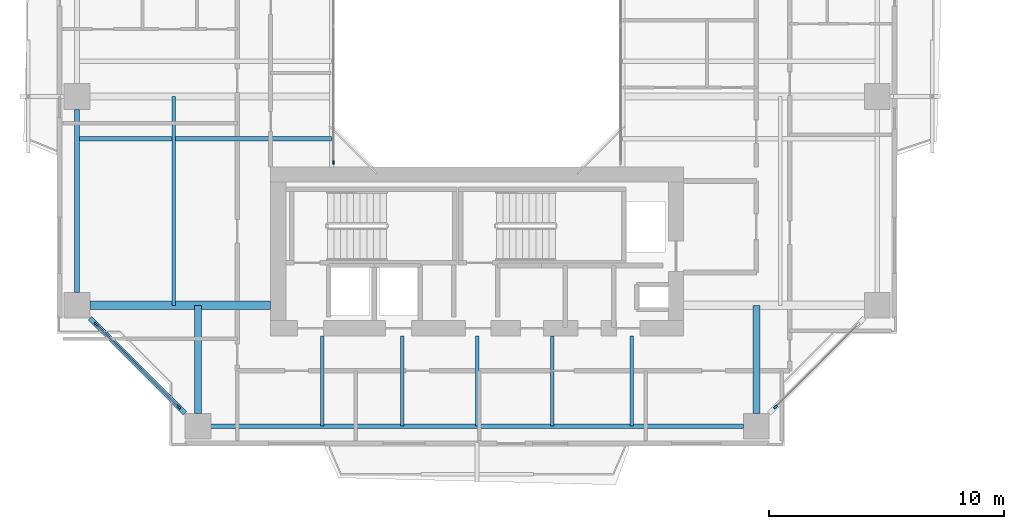
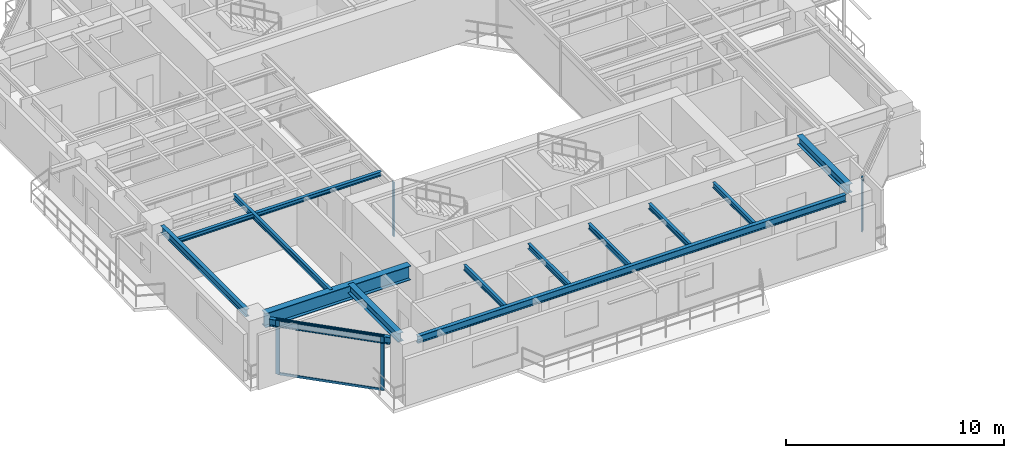
# One storey, part 2 of 24: 13 beams, 6 members, 3 elements without a shape of their own.
"""IFC4 building model written with IfcOpenShell, lengths in metres."""

from ifc_helpers import new_model, si_unit, direction, frame, origin, origin_2d, place, context, subcontext, project, spatial, rectangle, i_section, extrude, source, transform, mapped, material, layer, layer_set, material_profile, profile_set, type_object, element, aggregate, save


model = new_model("IFC4")

# Units and contexts
model_context = context("Model", 3, precision=1e-05, world=origin(), true_north=direction((0.0, 1.0)))
body_context = subcontext(model_context, "Body", "Model", "MODEL_VIEW")
ifc_project = project(units=[si_unit("LENGTHUNIT", "METRE"), si_unit("AREAUNIT", "SQUARE_METRE"), si_unit("VOLUMEUNIT", "CUBIC_METRE"), si_unit("PLANEANGLEUNIT", "RADIAN"), si_unit("MASSUNIT", "GRAM", prefix="KILO"), si_unit("THERMODYNAMICTEMPERATUREUNIT", "KELVIN"), si_unit("POWERUNIT", "WATT")], contexts=[model_context])

# Site, building, storey
site_placement = place(None, origin())
site = spatial("IfcSite", under=ifc_project, at=site_placement, CompositionType="ELEMENT")
building_placement = place(site_placement, origin())
building = spatial("IfcBuilding", under=site, at=building_placement, Name="Qiaomeng Ring Towers", CompositionType="ELEMENT")
storey_placement = place(building_placement, frame((0.0, 0.0, 110.0)))
storey = spatial("IfcBuildingStorey", under=building, at=storey_placement, Name="L31", CompositionType="ELEMENT", Elevation=110.0)

# Beams
ifc_material_1 = material(Name="Steel Q355B", Category="steel")
ifc_material_profile_1 = material_profile(ifc_material_1, i_section(OverallWidth=0.199951171875, OverallDepth=0.39990234375, WebThickness=0.008056640625, FlangeThickness=0.012939453125, FilletRadius=0.01611328125, at=origin_2d()), Name="HN 400x200x8x13")
ifc_profile_set_1 = profile_set([ifc_material_profile_1], Name="Steel Q355B")
beam_type_1 = type_object("IfcBeamType", Name="STR-BM-HN400", PredefinedType="SPANDREL", material=ifc_profile_set_1)
shared_shape_1 = source(origin(), body_context, "Body", "SweptSolid", [
    extrude(i_section(OverallWidth=0.199951171875, OverallDepth=0.39990234375, WebThickness=0.008056640625, FlangeThickness=0.012939453125, FilletRadius=0.01611328125, at=origin_2d()), origin(), (0.0, 0.0, 1.0), 22.7021484375),
])
beam_1_placement = place(storey_placement, frame((7.64892578125, 5.949951171875, 2.8701171875), z_axis=(1.0, 0.0, 0.0), x_axis=(0.0, 1.0, 0.0)))
element("IfcBeam", 1, at=beam_1_placement, inside=storey, type_object=beam_type_1, Name="L31 beam STR-SP-L31-T1-S1-S2", PredefinedType="SPANDREL", context=body_context, shape_type="MappedRepresentation", body=[
    mapped(shared_shape_1, transform((0.0, 0.0, 0.0), x_axis=(1.0, 0.0, 0.0), y_axis=(0.0, 1.0, 0.0), z_axis=(0.0, 0.0, 1.0), scale=1.0)),
])
shared_shape_2 = source(origin(), body_context, "Body", "SweptSolid", [
    extrude(i_section(OverallWidth=0.199951171875, OverallDepth=0.39990234375, WebThickness=0.008056640625, FlangeThickness=0.012939453125, FilletRadius=0.01611328125, at=origin_2d()), origin(), (0.0, 0.0, 1.0), 5.729736328125),
])
beam_2_placement = place(storey_placement, frame((2.499267578125, 10.55078125, 2.8701171875), z_axis=(0.707106781187, -0.707106781187, 0.0), x_axis=(0.707106781187, 0.707106781187, 0.0)))
element("IfcBeam", 2, at=beam_2_placement, inside=storey, type_object=beam_type_1, Name="L31 beam STR-SP-L31-T1-W1-S1", PredefinedType="SPANDREL", context=body_context, shape_type="MappedRepresentation", body=[
    mapped(shared_shape_2, transform((0.0, 0.0, 0.0), x_axis=(1.0, 0.0, 0.0), y_axis=(0.0, 1.0, 0.0), z_axis=(0.0, 0.0, 1.0), scale=1.0)),
])
shared_shape_3 = source(origin(), body_context, "Body", "SweptSolid", [
    extrude(i_section(OverallWidth=0.199951171875, OverallDepth=0.39990234375, WebThickness=0.008056640625, FlangeThickness=0.012939453125, FilletRadius=0.01611328125, at=origin_2d()), origin(), (0.0, 0.0, 1.0), 7.802001953125),
])
beam_3_placement = place(storey_placement, frame((1.949951171875, 19.450927734375, 2.8701171875), z_axis=(0.0, -1.0, 0.0), x_axis=(1.0, 0.0, 0.0)))
element("IfcBeam", 3, at=beam_3_placement, inside=storey, type_object=beam_type_1, Name="L31 beam STR-SP-L31-T1-W2-W1", PredefinedType="SPANDREL", context=body_context, shape_type="MappedRepresentation", body=[
    mapped(shared_shape_3, transform((0.0, 0.0, 0.0), x_axis=(1.0, 0.0, 0.0), y_axis=(0.0, 1.0, 0.0), z_axis=(0.0, 0.0, 1.0), scale=1.0)),
])
ifc_material_2 = material(Name="Steel Q390GJC", Category="steel")
ifc_material_profile_2 = material_profile(ifc_material_2, i_section(OverallWidth=0.35009765625, OverallDepth=0.800048828125, WebThickness=0.01611328125, FlangeThickness=0.028076171875, at=origin_2d()), Name="WH 800x350x16x28")
ifc_profile_set_2 = profile_set([ifc_material_profile_2], Name="Steel Q390GJC")
beam_type_2 = type_object("IfcBeamType", Name="STR-BM-WH800", PredefinedType="BEAM", material=ifc_profile_set_2)
shared_shape_4 = source(origin(), body_context, "Body", "SweptSolid", [
    extrude(i_section(OverallWidth=0.35009765625, OverallDepth=0.800048828125, WebThickness=0.01611328125, FlangeThickness=0.028076171875, at=origin_2d()), origin(), (0.0, 0.0, 1.0), 7.700927734375),
])
beam_4_placement = place(storey_placement, frame((2.4990234375, 11.10009765625, 2.669921875), z_axis=(1.0, 0.0, 0.0), x_axis=(0.0, 1.0, 0.0)))
element("IfcBeam", 4, at=beam_4_placement, inside=storey, type_object=beam_type_2, Name="L31 beam STR-BM-L31-T1-RAD-W1", PredefinedType="BEAM", context=body_context, shape_type="MappedRepresentation", body=[
    mapped(shared_shape_4, transform((0.0, 0.0, 0.0), x_axis=(1.0, 0.0, 0.0), y_axis=(0.0, 1.0, 0.0), z_axis=(0.0, 0.0, 1.0), scale=1.0)),
])
ifc_material_profile_3 = material_profile(ifc_material_1, i_section(OverallWidth=0.300048828125, OverallDepth=0.488037109375, WebThickness=0.010986328125, FlangeThickness=0.01806640625, FilletRadius=0.02587890625, at=origin_2d()), Name="HM 488x300x11x18")
ifc_profile_set_3 = profile_set([ifc_material_profile_3], Name="Steel Q355B")
beam_type_3 = type_object("IfcBeamType", Name="STR-BM-HM488", PredefinedType="BEAM", material=ifc_profile_set_3)
shared_shape_5 = source(origin(), body_context, "Body", "SweptSolid", [
    extrude(i_section(OverallWidth=0.300048828125, OverallDepth=0.488037109375, WebThickness=0.010986328125, FlangeThickness=0.01806640625, FilletRadius=0.02587890625, at=origin_2d()), origin(), (0.0, 0.0, 1.0), 4.60107421875),
])
for number, where, z_axis, x_axis, name in (
    (5, (7.10009765625, 6.4990234375, 2.825927734375), (0.0, 1.0, 0.0), (-1.0, 0.0, 0.0), "L31 beam STR-BM-L31-T1-RAD-S1"),
    (6, (30.89990234375, 6.4990234375, 2.825927734375), (0.0, 1.0, 0.0), (-1.0, 0.0, 0.0), "L31 beam STR-BM-L31-T1-RAD-S2"),
):
    element("IfcBeam", number, at=place(storey_placement, frame(where, z_axis=z_axis, x_axis=x_axis)), inside=storey, type_object=beam_type_3, Name=name, PredefinedType="BEAM", context=body_context, shape_type="MappedRepresentation", body=[
        mapped(shared_shape_5, transform((0.0, 0.0, 0.0), x_axis=(1.0, 0.0, 0.0), y_axis=(0.0, 1.0, 0.0), z_axis=(0.0, 0.0, 1.0), scale=1.0)),
    ])
ifc_material_profile_4 = material_profile(ifc_material_1, i_section(OverallWidth=0.14990234375, OverallDepth=0.300048828125, WebThickness=0.006591796875, FlangeThickness=0.009033203125, FilletRadius=0.012939453125, at=origin_2d()), Name="HN 300x150x6.5x9")
ifc_profile_set_4 = profile_set([ifc_material_profile_4], Name="Steel Q355B")
beam_type_4 = type_object("IfcBeamType", Name="STR-BM-HN300", PredefinedType="JOIST", material=ifc_profile_set_4)
shared_shape_6 = source(origin(), body_context, "Body", "SweptSolid", [
    extrude(i_section(OverallWidth=0.14990234375, OverallDepth=0.300048828125, WebThickness=0.006591796875, FlangeThickness=0.009033203125, FilletRadius=0.012939453125, at=origin_2d()), origin(), (0.0, 0.0, 1.0), 3.85009765625),
])
for number, where, z_axis, x_axis, name in (
    (7, (12.39990234375, 5.949951171875, 2.919921875), (0.0, 1.0, 0.0), (-1.0, 0.0, 0.0), "L31 beam STR-JST-L31-T1S-1"),
    (8, (15.800048828125, 5.949951171875, 2.919921875), (0.0, 1.0, 0.0), (-1.0, 0.0, 0.0), "L31 beam STR-JST-L31-T1S-2"),
    (9, (19.0, 5.949951171875, 2.919921875), (0.0, 1.0, 0.0), (-1.0, 0.0, 0.0), "L31 beam STR-JST-L31-T1S-3"),
    (10, (22.199951171875, 5.949951171875, 2.919921875), (0.0, 1.0, 0.0), (-1.0, 0.0, 0.0), "L31 beam STR-JST-L31-T1S-4"),
    (11, (25.60009765625, 5.949951171875, 2.919921875), (0.0, 1.0, 0.0), (-1.0, 0.0, 0.0), "L31 beam STR-JST-L31-T1S-5"),
):
    element("IfcBeam", number, at=place(storey_placement, frame(where, z_axis=z_axis, x_axis=x_axis)), inside=storey, type_object=beam_type_4, Name=name, PredefinedType="JOIST", context=body_context, shape_type="MappedRepresentation", body=[
        mapped(shared_shape_6, transform((0.0, 0.0, 0.0), x_axis=(1.0, 0.0, 0.0), y_axis=(0.0, 1.0, 0.0), z_axis=(0.0, 0.0, 1.0), scale=1.0)),
    ])
ifc_material_profile_5 = material_profile(ifc_material_1, i_section(OverallWidth=0.175048828125, OverallDepth=0.243896484375, WebThickness=0.007080078125, FlangeThickness=0.010986328125, FilletRadius=0.01611328125, at=origin_2d()), Name="HM 244x175x7x11")
ifc_profile_set_5 = profile_set([ifc_material_profile_5], Name="Steel Q355B")
beam_type_5 = type_object("IfcBeamType", Name="STR-BM-HM244", PredefinedType="JOIST", material=ifc_profile_set_5)
shared_shape_7 = source(origin(), body_context, "Body", "SweptSolid", [
    extrude(i_section(OverallWidth=0.175048828125, OverallDepth=0.243896484375, WebThickness=0.007080078125, FlangeThickness=0.010986328125, FilletRadius=0.01611328125, at=origin_2d()), origin(), (0.0, 0.0, 1.0), 10.85009765625),
])
beam_5_placement = place(storey_placement, frame((1.949951171875, 18.199951171875, 2.947998046875), z_axis=(1.0, 0.0, 0.0), x_axis=(0.0, 1.0, 0.0)))
element("IfcBeam", 12, at=beam_5_placement, inside=storey, type_object=beam_type_5, Name="L31 beam STR-JST-L31-T1W-1", PredefinedType="JOIST", context=body_context, shape_type="MappedRepresentation", body=[
    mapped(shared_shape_7, transform((0.0, 0.0, 0.0), x_axis=(1.0, 0.0, 0.0), y_axis=(0.0, 1.0, 0.0), z_axis=(0.0, 0.0, 1.0), scale=1.0)),
])
shared_shape_8 = source(origin(), body_context, "Body", "SweptSolid", [
    extrude(i_section(OverallWidth=0.14990234375, OverallDepth=0.300048828125, WebThickness=0.006591796875, FlangeThickness=0.009033203125, FilletRadius=0.012939453125, at=origin_2d()), origin(), (0.0, 0.0, 1.0), 8.89990234375),
])
beam_6_placement = place(storey_placement, frame((6.074951171875, 11.10009765625, 2.919921875), z_axis=(0.0, 1.0, 0.0), x_axis=(-1.0, 0.0, 0.0)))
element("IfcBeam", 13, at=beam_6_placement, inside=storey, type_object=beam_type_4, Name="L31 beam STR-JST-L31-T1C-WS", PredefinedType="JOIST", context=body_context, shape_type="MappedRepresentation", body=[
    mapped(shared_shape_8, transform((0.0, 0.0, 0.0), x_axis=(1.0, 0.0, 0.0), y_axis=(0.0, 1.0, 0.0), z_axis=(0.0, 0.0, 1.0), scale=1.0)),
])

# Curtain wall, member
ifc_material_3 = material(Name="Fluorocarbon dark-grey aluminium", Category="aluminium")
ifc_layer_1 = layer(ifc_material_3, 0.139892578125, Name="Fluorocarbon dark-grey aluminium")
ifc_layer_set_1 = layer_set([ifc_layer_1], Name="Fluorocarbon dark-grey aluminium")
curtain_wall_type_1 = type_object("IfcCurtainWallType", Name="ARC-CW-4", PredefinedType="NOTDEFINED", material=ifc_layer_set_1)
curtain_wall_1_placement = place(storey_placement, origin())
curtain_wall_1 = element("IfcCurtainWall", 14, at=curtain_wall_1_placement, inside=storey, type_object=curtain_wall_type_1, Name="L31 Curtain Wall CW4", PredefinedType="NOTDEFINED")
ifc_material_profile_6 = material_profile(ifc_material_3, rectangle(XDim=0.06494140625, YDim=0.159912109375, at=origin_2d()), Name="ALU MULL 65x160")
ifc_profile_set_6 = profile_set([ifc_material_profile_6], Name="Fluorocarbon dark-grey aluminium")
member_type_1 = type_object("IfcMemberType", Name="ARC-CWM-140", PredefinedType="MULLION", material=ifc_profile_set_6)
shared_shape_9 = source(origin(), body_context, "Body", "SweptSolid", [
    extrude(rectangle(XDim=0.06494140625, YDim=0.159912109375, at=origin_2d()), origin(), (0.0, 0.0, 1.0), 3.070068359375),
])
member_1_placement = place(storey_placement, frame((12.8798828125, 17.1826171875, 0.0), z_axis=(0.0, 0.0, 1.0), x_axis=(-1.0, 0.0, 0.0)))
member_1 = element("IfcMember", 15, at=member_1_placement, type_object=member_type_1, Name="CW4 mullion 1", PredefinedType="MULLION", context=body_context, shape_type="MappedRepresentation", body=[
    mapped(shared_shape_9, transform((0.0, 0.0, 0.0), x_axis=(1.0, 0.0, 0.0), y_axis=(0.0, 1.0, 0.0), z_axis=(0.0, 0.0, 1.0), scale=1.0)),
])
aggregate(curtain_wall_1, [member_1])

ifc_layer_2 = layer(ifc_material_3, 0.14990234375, Name="Fluorocarbon dark-grey aluminium")
ifc_layer_set_2 = layer_set([ifc_layer_2], Name="Fluorocarbon dark-grey aluminium")
curtain_wall_type_2 = type_object("IfcCurtainWallType", Name="ARC-CW-3", PredefinedType="NOTDEFINED", material=ifc_layer_set_2)
curtain_wall_2_placement = place(storey_placement, origin())
curtain_wall_2 = element("IfcCurtainWall", 16, at=curtain_wall_2_placement, inside=storey, type_object=curtain_wall_type_2, Name="L31 Curtain Wall CW3", PredefinedType="NOTDEFINED")
ifc_material_profile_7 = material_profile(ifc_material_3, rectangle(XDim=0.070068359375, YDim=0.179931640625, at=origin_2d()), Name="ALU MULL 70x180")
ifc_profile_set_7 = profile_set([ifc_material_profile_7], Name="Fluorocarbon dark-grey aluminium")
member_type_2 = type_object("IfcMemberType", Name="ARC-CWM-160", PredefinedType="MULLION", material=ifc_profile_set_7)
shared_shape_10 = source(origin(), body_context, "Body", "SweptSolid", [
    extrude(rectangle(XDim=0.070068359375, YDim=0.179931640625, at=origin_2d()), origin(), (0.0, 0.0, 1.0), 3.070068359375),
])
member_2_placement = place(storey_placement, frame((31.71484375, 6.7646484375, 0.0), z_axis=(0.0, 0.0, 1.0), x_axis=(-0.707106781187, 0.707106781187, 0.0)))
member_2 = element("IfcMember", 17, at=member_2_placement, type_object=member_type_2, Name="CW3 mullion 1", PredefinedType="MULLION", context=body_context, shape_type="MappedRepresentation", body=[
    mapped(shared_shape_10, transform((0.0, 0.0, 0.0), x_axis=(1.0, 0.0, 0.0), y_axis=(0.0, 1.0, 0.0), z_axis=(0.0, 0.0, 1.0), scale=1.0)),
])
aggregate(curtain_wall_2, [member_2])

# Curtain wall, members
curtain_wall_3_placement = place(storey_placement, origin())
curtain_wall_3 = element("IfcCurtainWall", 18, at=curtain_wall_3_placement, inside=storey, type_object=curtain_wall_type_2, Name="L31 Curtain Wall CW3", PredefinedType="NOTDEFINED")
member_3_placement = place(storey_placement, frame((2.7646484375, 10.28515625, 0.0), z_axis=(0.0, 0.0, 1.0), x_axis=(0.707106781187, 0.707106781187, 0.0)))
member_3 = element("IfcMember", 19, at=member_3_placement, type_object=member_type_2, Name="CW3 mullion 1", PredefinedType="MULLION", context=body_context, shape_type="MappedRepresentation", body=[
    mapped(shared_shape_10, transform((0.0, 0.0, 0.0), x_axis=(1.0, 0.0, 0.0), y_axis=(0.0, 1.0, 0.0), z_axis=(0.0, 0.0, 1.0), scale=1.0)),
])
member_4_placement = place(storey_placement, frame((6.28515625, 6.7646484375, 0.0), z_axis=(0.0, 0.0, 1.0), x_axis=(0.707106781187, 0.707106781187, 0.0)))
member_4 = element("IfcMember", 20, at=member_4_placement, type_object=member_type_2, Name="CW3 mullion 2", PredefinedType="MULLION", context=body_context, shape_type="MappedRepresentation", body=[
    mapped(shared_shape_10, transform((0.0, 0.0, 0.0), x_axis=(1.0, 0.0, 0.0), y_axis=(0.0, 1.0, 0.0), z_axis=(0.0, 0.0, 1.0), scale=1.0)),
])
ifc_material_profile_8 = material_profile(ifc_material_3, rectangle(XDim=0.06494140625, YDim=0.1298828125, at=origin_2d()), Name="ALU TRAN 65x130")
ifc_profile_set_8 = profile_set([ifc_material_profile_8], Name="Fluorocarbon dark-grey aluminium")
member_type_3 = type_object("IfcMemberType", Name="ARC-CWT-120", PredefinedType="USERDEFINED", material=ifc_profile_set_8)
shared_shape_11 = source(origin(), body_context, "Body", "SweptSolid", [
    extrude(rectangle(XDim=0.06494140625, YDim=0.1298828125, at=origin_2d()), origin(), (0.0, 0.0, 1.0), 4.90869140625),
])
member_5_placement = place(storey_placement, frame((2.78955078125, 10.260498046875, 0.032470703125), z_axis=(0.707106781187, -0.707106781187, 0.0), x_axis=(0.707106781187, 0.707106781187, 0.0)))
member_5 = element("IfcMember", 21, at=member_5_placement, type_object=member_type_3, Name="CW3 transom 1.1", ObjectType="TRANSOM", PredefinedType="USERDEFINED", context=body_context, shape_type="MappedRepresentation", body=[
    mapped(shared_shape_11, transform((0.0, 0.0, 0.0), x_axis=(1.0, 0.0, 0.0), y_axis=(0.0, 1.0, 0.0), z_axis=(0.0, 0.0, 1.0), scale=1.0)),
])
member_6_placement = place(storey_placement, frame((2.78955078125, 10.260498046875, 3.03759765625), z_axis=(0.707106781187, -0.707106781187, 0.0), x_axis=(0.707106781187, 0.707106781187, 0.0)))
member_6 = element("IfcMember", 22, at=member_6_placement, type_object=member_type_3, Name="CW3 transom 1.2", ObjectType="TRANSOM", PredefinedType="USERDEFINED", context=body_context, shape_type="MappedRepresentation", body=[
    mapped(shared_shape_11, transform((0.0, 0.0, 0.0), x_axis=(1.0, 0.0, 0.0), y_axis=(0.0, 1.0, 0.0), z_axis=(0.0, 0.0, 1.0), scale=1.0)),
])
aggregate(curtain_wall_3, [member_3, member_4, member_5, member_6])

save(model, "model.ifc")
